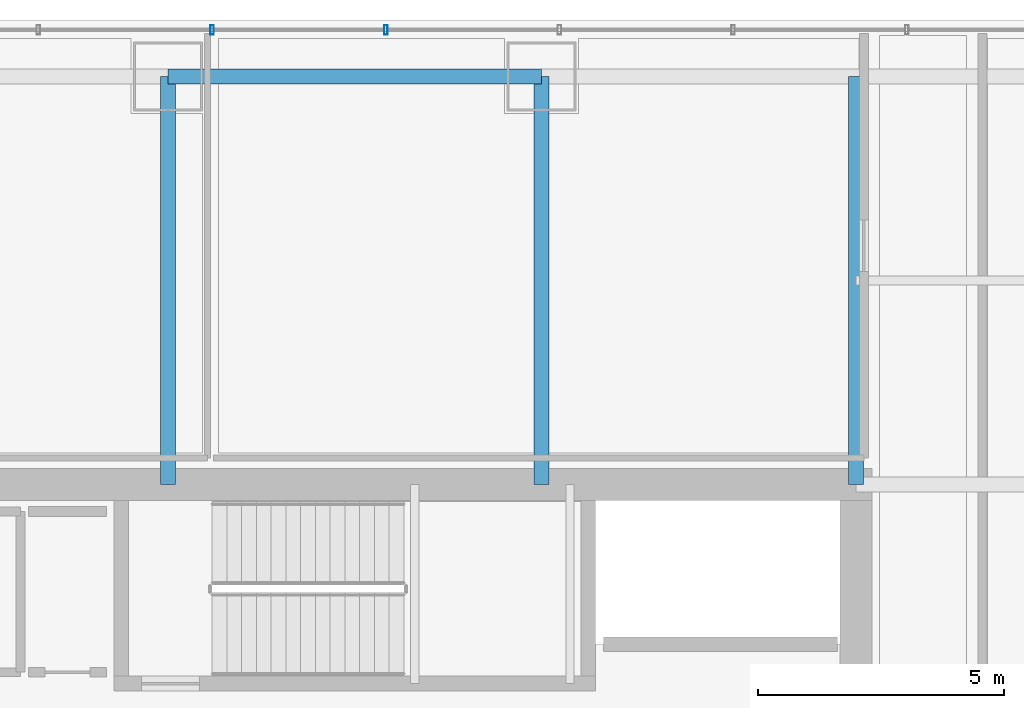
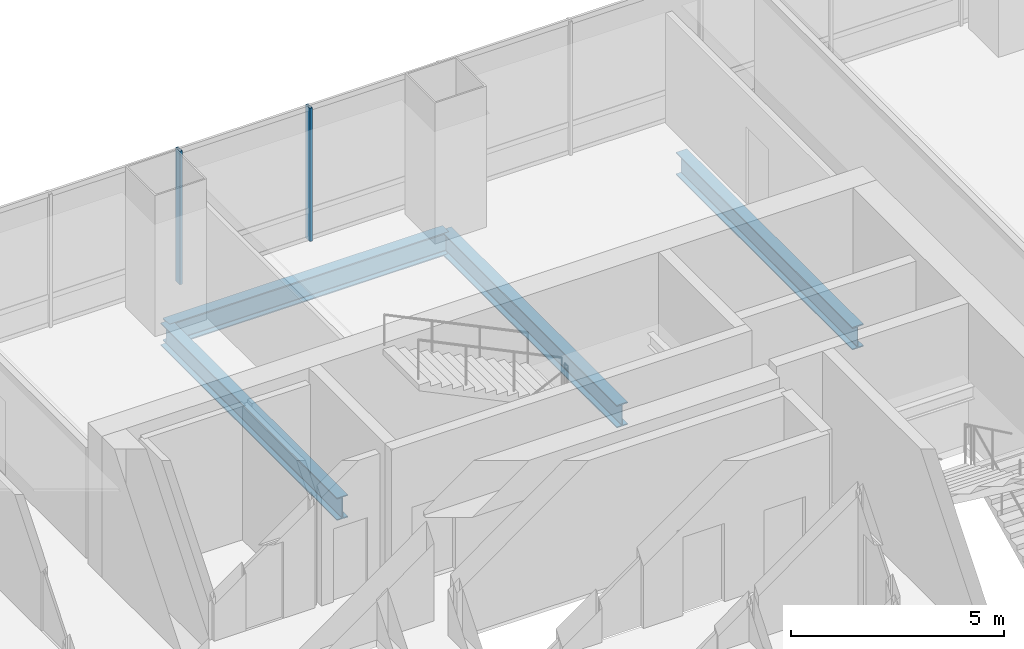
# One storey, part 22 of 36: 4 beams, 2 members, 1 element without a shape of its own.
"""IFC4 building model written with IfcOpenShell, lengths in metres."""

from ifc_helpers import new_model, si_unit, direction, frame, origin, origin_2d, place, context, subcontext, project, spatial, hollow_rectangle, i_section, extrude, material, material_profile, profile_set, type_object, element, aggregate, save


model = new_model("IFC4")

# Units and contexts
model_context = context("Model", 3, precision=1e-05, world=origin(), true_north=direction((0.0, 1.0)))
body_context = subcontext(model_context, "Body", "Model", "MODEL_VIEW")
ifc_project = project(units=[si_unit("LENGTHUNIT", "METRE"), si_unit("AREAUNIT", "SQUARE_METRE"), si_unit("VOLUMEUNIT", "CUBIC_METRE"), si_unit("PLANEANGLEUNIT", "RADIAN"), si_unit("MASSUNIT", "GRAM", prefix="KILO")], contexts=[model_context])

# Site, building, storey
site_placement = place(None, origin())
site = spatial("IfcSite", under=ifc_project, at=site_placement, CompositionType="ELEMENT")
building_placement = place(site_placement, origin())
building = spatial("IfcBuilding", under=site, at=building_placement, Name="Punatoya Terracotta Tower", CompositionType="ELEMENT")
storey_placement = place(building_placement, frame((0.0, 0.0, 212.699951171875)))
storey = spatial("IfcBuildingStorey", under=building, at=storey_placement, Name="L50", CompositionType="ELEMENT", Elevation=212.699951171875)

# Beams
ifc_material_1 = material(Name="Steel S355", Category="steel")
ifc_material_profile_1 = material_profile(ifc_material_1, i_section(OverallWidth=0.300048828125, OverallDepth=0.64990234375, WebThickness=0.01611328125, FlangeThickness=0.031005859375, FilletRadius=0.01806640625, at=origin_2d()))
ifc_profile_set_1 = profile_set([ifc_material_profile_1], Name="Steel S355")
beam_type = type_object("IfcBeamType", Name="BM-PRI-650", PredefinedType="BEAM", material=ifc_profile_set_1)
beam_placement = place(storey_placement, frame((-3.800048828125, 17.5, -0.544921875), z_axis=(1.0, 0.0, 0.0), x_axis=(0.0, 1.0, 0.0)))
element("IfcBeam", 1, at=beam_placement, inside=storey, type_object=beam_type, Name="BM-L50-RG-N2", PredefinedType="BEAM", context=body_context, shape_type="SweptSolid", body=[
    extrude(i_section(OverallWidth=0.300048828125, OverallDepth=0.64990234375, WebThickness=0.01611328125, FlangeThickness=0.031005859375, FilletRadius=0.01806640625, at=origin_2d()), origin(), (0.0, 0.0, 1.0), 7.60009765625),
])
for number, where, z_axis, x_axis, name in (
    (2, (-3.800048828125, 9.199951171875, -0.544921875), (0.0, 1.0, 0.0), (-1.0, 0.0, 0.0), "BM-L50-PR-N2"),
    (3, (3.800048828125, 9.199951171875, -0.544921875), (0.0, 1.0, 0.0), (-1.0, 0.0, 0.0), "BM-L50-PR-N3"),
    (4, (10.199951171875, 9.199951171875, -0.544921875), (0.0, 1.0, 0.0), (-1.0, 0.0, 0.0), "BM-L50-PR-N4"),
):
    element("IfcBeam", number, at=place(storey_placement, frame(where, z_axis=z_axis, x_axis=x_axis)), inside=storey, type_object=beam_type, Name=name, PredefinedType="BEAM", context=body_context, shape_type="SweptSolid", body=[
        extrude(i_section(OverallWidth=0.300048828125, OverallDepth=0.64990234375, WebThickness=0.01611328125, FlangeThickness=0.031005859375, FilletRadius=0.01806640625, at=origin_2d()), origin(), (0.0, 0.0, 1.0), 8.300048828125),
    ])

# Curtain wall, members
ifc_material_2 = material(Name="Aluminium 6063-T6 + Double Low-E Glass", Category="aluminium")
curtain_wall_type = type_object("IfcCurtainWallType", Name="CW-M2", PredefinedType="NOTDEFINED", material=ifc_material_2)
curtain_wall_placement = place(storey_placement, origin())
curtain_wall = element("IfcCurtainWall", 5, at=curtain_wall_placement, inside=storey, type_object=curtain_wall_type, Name="L50 Curtain Wall CW-L50-N09-1", PredefinedType="NOTDEFINED")
ifc_material_3 = material(Name="Aluminium 6063-T6", Category="aluminium")
ifc_material_profile_2 = material_profile(ifc_material_3, hollow_rectangle(XDim=0.072021484375, YDim=0.195068359375, WallThickness=0.00439453125, at=origin_2d()))
ifc_profile_set_2 = profile_set([ifc_material_profile_2], Name="Aluminium 6063-T6")
member_type = type_object("IfcMemberType", Name="CW-MUL-M2", PredefinedType="MULLION", material=ifc_profile_set_2)
member_1_placement = place(storey_placement, frame((0.633056640625, 18.449951171875, 0.0), z_axis=(0.0, 0.0, 1.0), x_axis=(1.0, 0.0, 0.0)))
member_1 = element("IfcMember", 6, at=member_1_placement, type_object=member_type, Name="CW-L50-N09-1 Mullion 06", PredefinedType="MULLION", context=body_context, shape_type="SweptSolid", body=[
    extrude(hollow_rectangle(XDim=0.072021484375, YDim=0.195068359375, WallThickness=0.00439453125, at=origin_2d()), origin(), (0.0, 0.0, 1.0), 3.830078125),
])
member_2_placement = place(storey_placement, frame((-2.90087890625, 18.449951171875, 0.0), z_axis=(0.0, 0.0, 1.0), x_axis=(1.0, 0.0, 0.0)))
member_2 = element("IfcMember", 7, at=member_2_placement, type_object=member_type, Name="CW-L50-N09-1 Mullion 07", PredefinedType="MULLION", context=body_context, shape_type="SweptSolid", body=[
    extrude(hollow_rectangle(XDim=0.072021484375, YDim=0.195068359375, WallThickness=0.00439453125, at=origin_2d()), origin(), (0.0, 0.0, 1.0), 3.830078125),
])
aggregate(curtain_wall, [member_1, member_2])

save(model, "model.ifc")
